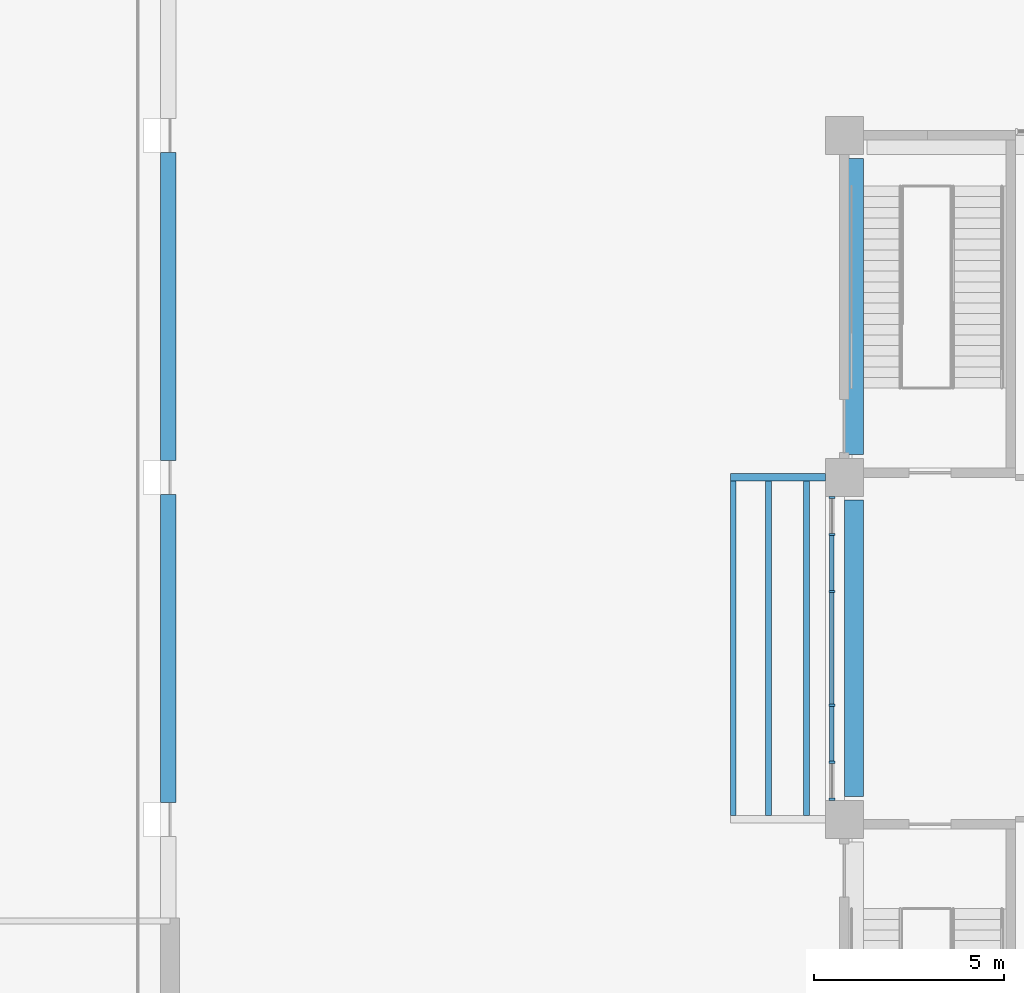
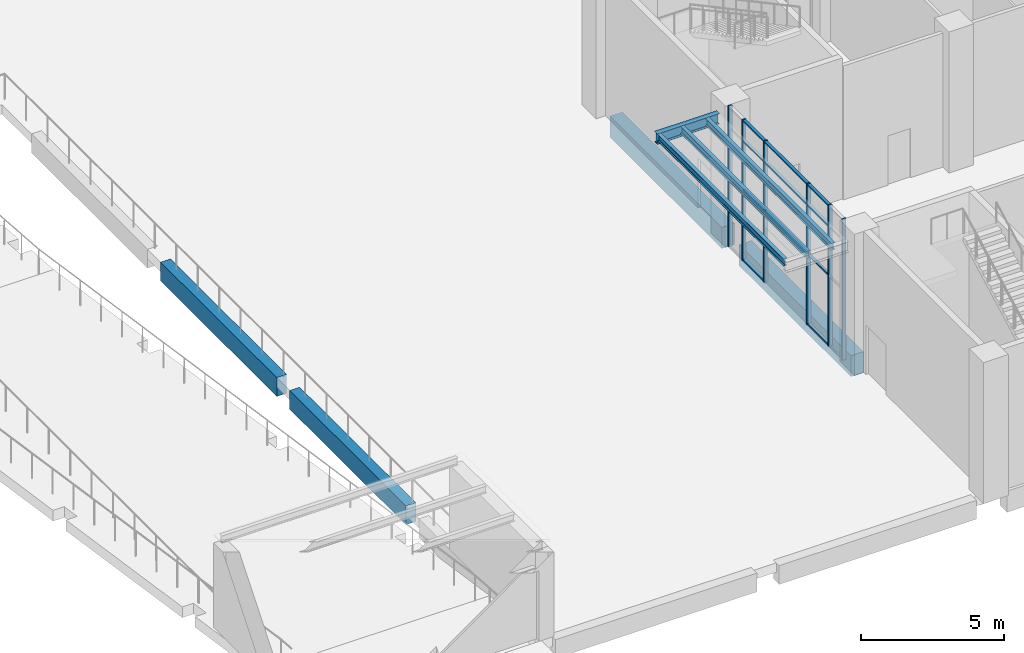
# One storey, part 13 of 86: 17 members, 8 beams, 1 element without a shape of its own.
"""IFC4 building model written with IfcOpenShell, lengths in metres."""

from ifc_helpers import new_model, si_unit, direction, frame, origin, origin_2d, place, context, subcontext, project, spatial, rectangle, i_section, extrude, material, layer, layer_set, material_profile, profile_set, type_object, element, aggregate, save


model = new_model("IFC4")

# Units and contexts
model_context = context("Model", 3, precision=1e-05, world=origin(), true_north=direction((0.0, 1.0)))
body_context = subcontext(model_context, "Body", "Model", "MODEL_VIEW")
ifc_project = project(units=[si_unit("LENGTHUNIT", "METRE"), si_unit("AREAUNIT", "SQUARE_METRE"), si_unit("VOLUMEUNIT", "CUBIC_METRE"), si_unit("PLANEANGLEUNIT", "RADIAN"), si_unit("MASSUNIT", "GRAM", prefix="KILO")], contexts=[model_context])

# Site, building, storey
site_placement = place(None, origin())
site = spatial("IfcSite", under=ifc_project, at=site_placement, CompositionType="ELEMENT")
building_placement = place(site_placement, origin())
building = spatial("IfcBuilding", under=site, at=building_placement, Name="Guidao Yard Department Store", CompositionType="ELEMENT")
storey_placement = place(building_placement, origin())
storey = spatial("IfcBuildingStorey", under=building, at=storey_placement, Name="L00", CompositionType="ELEMENT", Elevation=0.0)

# Beams
ifc_material_1 = material(Name="Steel Q355B", Category="steel")
ifc_material_profile_1 = material_profile(ifc_material_1, i_section(OverallWidth=0.14990234375, OverallDepth=0.300048828125, WebThickness=0.006591796875, FlangeThickness=0.009033203125, FilletRadius=0.012939453125, at=origin_2d()), Name="HN 300x150x6.5x9")
ifc_profile_set_1 = profile_set([ifc_material_profile_1], Name="Steel Q355B")
beam_type_1 = type_object("IfcBeamType", Name="Canopy beam HN 300x150x6.5x9", PredefinedType="BEAM", material=ifc_profile_set_1)
beam_1_placement = place(storey_placement, frame((123.074951171875, 9.10009765625, 5.300048828125), z_axis=(0.0, 1.0, 0.0), x_axis=(-1.0, 0.0, 0.0)))
element("IfcBeam", 1, at=beam_1_placement, inside=storey, type_object=beam_type_1, Name="Canopy edge beam OW-1", PredefinedType="BEAM", context=body_context, shape_type="SweptSolid", body=[
    extrude(i_section(OverallWidth=0.14990234375, OverallDepth=0.300048828125, WebThickness=0.006591796875, FlangeThickness=0.009033203125, FilletRadius=0.012939453125, at=origin_2d()), origin(), (0.0, 0.0, 1.0), 8.7998046875),
])
for number, where, z_axis, x_axis, name in (
    (2, (125.0, 9.10009765625, 5.300048828125), (0.0, 1.0, 0.0), (-1.0, 0.0, 0.0), "Canopy joist OW-1.1"),
    (3, (124.0, 9.10009765625, 5.300048828125), (0.0, 1.0, 0.0), (-1.0, 0.0, 0.0), "Canopy joist OW-1.2"),
):
    element("IfcBeam", number, at=place(storey_placement, frame(where, z_axis=z_axis, x_axis=x_axis)), inside=storey, type_object=beam_type_1, Name=name, PredefinedType="JOIST", context=body_context, shape_type="SweptSolid", body=[
        extrude(i_section(OverallWidth=0.14990234375, OverallDepth=0.300048828125, WebThickness=0.006591796875, FlangeThickness=0.009033203125, FilletRadius=0.012939453125, at=origin_2d()), origin(), (0.0, 0.0, 1.0), 8.7998046875),
    ])
ifc_material_2 = material(Name="Concrete C40", Category="concrete")
ifc_material_profile_2 = material_profile(ifc_material_2, rectangle(XDim=0.5, YDim=0.89990234375, at=origin_2d()), Name="Edge beam 500 x 900 C40")
ifc_profile_set_2 = profile_set([ifc_material_profile_2], Name="Concrete C40")
beam_type_2 = type_object("IfcBeamType", Name="Edge beam 500 x 900 C40", PredefinedType="BEAM", material=ifc_profile_set_2)
for number, where, z_axis, x_axis, name in (
    (4, (126.25, 9.60009765625, -0.449951171875), (0.0, 1.0, 0.0), (-1.0, 0.0, 0.0), "Beam FB13"),
    (5, (126.25, 18.60009765625, -0.449951171875), (0.0, 1.0, 0.0), (-1.0, 0.0, 0.0), "Beam FB14"),
):
    element("IfcBeam", number, at=place(storey_placement, frame(where, z_axis=z_axis, x_axis=x_axis)), inside=storey, type_object=beam_type_2, Name=name, PredefinedType="BEAM", context=body_context, shape_type="SweptSolid", body=[
        extrude(rectangle(XDim=0.5, YDim=0.89990234375, at=origin_2d()), origin(), (0.0, 0.0, 1.0), 7.7998046875),
    ])
ifc_material_3 = material(Name="Steel Q355B", Category="steel")
ifc_material_profile_3 = material_profile(ifc_material_3, i_section(OverallWidth=0.199951171875, OverallDepth=0.449951171875, WebThickness=0.009033203125, FlangeThickness=0.013916015625, FilletRadius=0.012939453125, at=origin_2d()), Name="HN 450x200x9x14")
ifc_profile_set_3 = profile_set([ifc_material_profile_3], Name="Steel Q355B")
beam_type_3 = type_object("IfcBeamType", Name="HN 450x200x9x14", PredefinedType="BEAM", material=ifc_profile_set_3)
beam_2_placement = place(storey_placement, frame((125.5, 18.0, 5.22509765625), z_axis=(-1.0, 0.0, 0.0), x_axis=(0.0, -1.0, 0.0)))
element("IfcBeam", 6, at=beam_2_placement, inside=storey, type_object=beam_type_3, Name="Canopy beam OW-2", PredefinedType="BEAM", context=body_context, shape_type="SweptSolid", body=[
    extrude(i_section(OverallWidth=0.199951171875, OverallDepth=0.449951171875, WebThickness=0.009033203125, FlangeThickness=0.013916015625, FilletRadius=0.012939453125, at=origin_2d()), origin(), (0.0, 0.0, 1.0), 2.5),
])

# Curtain wall, members
ifc_material_4 = material(Name="Aluminium and glass", Category="aluminium")
ifc_layer = layer(ifc_material_4, 0.159912109375)
ifc_layer_set = layer_set([ifc_layer], Name="Unitised curtain wall CW4 1500 module")
curtain_wall_type = type_object("IfcCurtainWallType", Name="Unitised curtain wall CW4 1500 module", PredefinedType="NOTDEFINED", material=ifc_layer_set)
curtain_wall_placement = place(storey_placement, origin())
curtain_wall = element("IfcCurtainWall", 7, at=curtain_wall_placement, inside=storey, type_object=curtain_wall_type, Name="Unitised curtain wall", PredefinedType="NOTDEFINED")
ifc_material_5 = material(Name="Aluminium 6063-T5", Category="aluminium")
ifc_material_profile_4 = material_profile(ifc_material_5, rectangle(XDim=0.06005859375, YDim=0.159912109375, at=origin_2d()), Name="Mullion M1 60 x 160 aluminium pressure plate")
ifc_profile_set_4 = profile_set([ifc_material_profile_4], Name="Aluminium 6063-T5")
member_type_1 = type_object("IfcMemberType", Name="Mullion M1 60 x 160 aluminium pressure plate", PredefinedType="MULLION", material=ifc_profile_set_4)
member_1_placement = place(storey_placement, frame((125.669921875, 9.530029296875, 0.0), z_axis=(0.0, 0.0, 1.0), x_axis=(0.0, 1.0, 0.0)))
member_1 = element("IfcMember", 8, at=member_1_placement, type_object=member_type_1, Name="CW-OW-L00-04 mullion 1", PredefinedType="MULLION", context=body_context, shape_type="SweptSolid", body=[
    extrude(rectangle(XDim=0.06005859375, YDim=0.159912109375, at=origin_2d()), origin(), (0.0, 0.0, 1.0), 6.0),
])
member_2_placement = place(storey_placement, frame((125.669921875, 10.5, 0.0), z_axis=(0.0, 0.0, 1.0), x_axis=(0.0, 1.0, 0.0)))
member_2 = element("IfcMember", 9, at=member_2_placement, type_object=member_type_1, Name="CW-OW-L00-04 mullion 2", PredefinedType="MULLION", context=body_context, shape_type="SweptSolid", body=[
    extrude(rectangle(XDim=0.06005859375, YDim=0.159912109375, at=origin_2d()), origin(), (0.0, 0.0, 1.0), 6.0),
])
member_3_placement = place(storey_placement, frame((125.669921875, 12.0, 0.0), z_axis=(0.0, 0.0, 1.0), x_axis=(0.0, 1.0, 0.0)))
member_3 = element("IfcMember", 10, at=member_3_placement, type_object=member_type_1, Name="CW-OW-L00-04 mullion 3", PredefinedType="MULLION", context=body_context, shape_type="SweptSolid", body=[
    extrude(rectangle(XDim=0.06005859375, YDim=0.159912109375, at=origin_2d()), origin(), (0.0, 0.0, 1.0), 6.0),
])
member_4_placement = place(storey_placement, frame((125.669921875, 15.0, 0.0), z_axis=(0.0, 0.0, 1.0), x_axis=(0.0, 1.0, 0.0)))
member_4 = element("IfcMember", 11, at=member_4_placement, type_object=member_type_1, Name="CW-OW-L00-04 mullion 4", PredefinedType="MULLION", context=body_context, shape_type="SweptSolid", body=[
    extrude(rectangle(XDim=0.06005859375, YDim=0.159912109375, at=origin_2d()), origin(), (0.0, 0.0, 1.0), 6.0),
])
member_5_placement = place(storey_placement, frame((125.669921875, 16.5, 0.0), z_axis=(0.0, 0.0, 1.0), x_axis=(0.0, 1.0, 0.0)))
member_5 = element("IfcMember", 12, at=member_5_placement, type_object=member_type_1, Name="CW-OW-L00-04 mullion 5", PredefinedType="MULLION", context=body_context, shape_type="SweptSolid", body=[
    extrude(rectangle(XDim=0.06005859375, YDim=0.159912109375, at=origin_2d()), origin(), (0.0, 0.0, 1.0), 6.0),
])
member_6_placement = place(storey_placement, frame((125.669921875, 17.469970703125, 0.0), z_axis=(0.0, 0.0, 1.0), x_axis=(0.0, 1.0, 0.0)))
member_6 = element("IfcMember", 13, at=member_6_placement, type_object=member_type_1, Name="CW-OW-L00-04 mullion 6", PredefinedType="MULLION", context=body_context, shape_type="SweptSolid", body=[
    extrude(rectangle(XDim=0.06005859375, YDim=0.159912109375, at=origin_2d()), origin(), (0.0, 0.0, 1.0), 6.0),
])

# Beams
ifc_material_6 = material(Name="Concrete C40", Category="concrete")
ifc_material_profile_5 = material_profile(ifc_material_6, rectangle(XDim=0.39990234375, YDim=0.800048828125, at=origin_2d()), Name="Spandrel beam 400 x 800 C40")
ifc_profile_set_5 = profile_set([ifc_material_profile_5], Name="Concrete C40")
beam_type_4 = type_object("IfcBeamType", Name="Spandrel beam 400 x 800 C40", PredefinedType="SPANDREL", material=ifc_profile_set_5)
for number, where, z_axis, x_axis, name in (
    (14, (108.199951171875, 9.449951171875, -0.39990234375), (0.0, 1.0, 0.0), (-1.0, 0.0, 0.0), "Beam EB78"),
    (15, (108.199951171875, 18.449951171875, -0.39990234375), (0.0, 1.0, 0.0), (-1.0, 0.0, 0.0), "Beam EB79"),
):
    element("IfcBeam", number, at=place(storey_placement, frame(where, z_axis=z_axis, x_axis=x_axis)), inside=storey, type_object=beam_type_4, Name=name, PredefinedType="SPANDREL", context=body_context, shape_type="SweptSolid", body=[
        extrude(rectangle(XDim=0.39990234375, YDim=0.800048828125, at=origin_2d()), origin(), (0.0, 0.0, 1.0), 8.10009765625),
    ])

# Member
ifc_material_7 = material(Name="Aluminium 6063-T5", Category="aluminium")
ifc_material_profile_6 = material_profile(ifc_material_7, rectangle(XDim=0.1201171875, YDim=0.06005859375, at=origin_2d()), Name="Transom T1 60 x 120 aluminium pressure plate")
ifc_profile_set_6 = profile_set([ifc_material_profile_6], Name="Aluminium 6063-T5")
member_type_2 = type_object("IfcMemberType", Name="Transom T1 60 x 120 aluminium pressure plate", PredefinedType="USERDEFINED", material=ifc_profile_set_6)
member_7_placement = place(storey_placement, frame((125.669921875, 10.530029296875, 0.030029296875), z_axis=(0.0, 1.0, 0.0), x_axis=(-1.0, 0.0, 0.0)))
member_7 = element("IfcMember", 16, at=member_7_placement, type_object=member_type_2, Name="CW-OW-L00-04 transom 2.1", ObjectType="TRANSOM", PredefinedType="USERDEFINED", context=body_context, shape_type="SweptSolid", body=[
    extrude(rectangle(XDim=0.1201171875, YDim=0.06005859375, at=origin_2d()), origin(), (0.0, 0.0, 1.0), 1.43994140625),
])

member_8_placement = place(storey_placement, frame((125.669921875, 10.530029296875, 3.0), z_axis=(0.0, 1.0, 0.0), x_axis=(-1.0, 0.0, 0.0)))
member_8 = element("IfcMember", 17, at=member_8_placement, type_object=member_type_2, Name="CW-OW-L00-04 transom 2.2", ObjectType="TRANSOM", PredefinedType="USERDEFINED", context=body_context, shape_type="SweptSolid", body=[
    extrude(rectangle(XDim=0.1201171875, YDim=0.06005859375, at=origin_2d()), origin(), (0.0, 0.0, 1.0), 1.43994140625),
])

member_9_placement = place(storey_placement, frame((125.669921875, 10.530029296875, 5.10009765625), z_axis=(0.0, 1.0, 0.0), x_axis=(-1.0, 0.0, 0.0)))
member_9 = element("IfcMember", 18, at=member_9_placement, type_object=member_type_2, Name="CW-OW-L00-04 transom 2.3", ObjectType="TRANSOM", PredefinedType="USERDEFINED", context=body_context, shape_type="SweptSolid", body=[
    extrude(rectangle(XDim=0.1201171875, YDim=0.06005859375, at=origin_2d()), origin(), (0.0, 0.0, 1.0), 1.43994140625),
])

member_10_placement = place(storey_placement, frame((125.669921875, 10.530029296875, 5.969970703125), z_axis=(0.0, 1.0, 0.0), x_axis=(-1.0, 0.0, 0.0)))
member_10 = element("IfcMember", 19, at=member_10_placement, type_object=member_type_2, Name="CW-OW-L00-04 transom 2.4", ObjectType="TRANSOM", PredefinedType="USERDEFINED", context=body_context, shape_type="SweptSolid", body=[
    extrude(rectangle(XDim=0.1201171875, YDim=0.06005859375, at=origin_2d()), origin(), (0.0, 0.0, 1.0), 1.43994140625),
])

member_11_placement = place(storey_placement, frame((125.669921875, 12.030029296875, 3.0), z_axis=(0.0, 1.0, 0.0), x_axis=(-1.0, 0.0, 0.0)))
member_11 = element("IfcMember", 20, at=member_11_placement, type_object=member_type_2, Name="CW-OW-L00-04 transom 3.2", ObjectType="TRANSOM", PredefinedType="USERDEFINED", context=body_context, shape_type="SweptSolid", body=[
    extrude(rectangle(XDim=0.1201171875, YDim=0.06005859375, at=origin_2d()), origin(), (0.0, 0.0, 1.0), 2.93994140625),
])

member_12_placement = place(storey_placement, frame((125.669921875, 12.030029296875, 5.10009765625), z_axis=(0.0, 1.0, 0.0), x_axis=(-1.0, 0.0, 0.0)))
member_12 = element("IfcMember", 21, at=member_12_placement, type_object=member_type_2, Name="CW-OW-L00-04 transom 3.3", ObjectType="TRANSOM", PredefinedType="USERDEFINED", context=body_context, shape_type="SweptSolid", body=[
    extrude(rectangle(XDim=0.1201171875, YDim=0.06005859375, at=origin_2d()), origin(), (0.0, 0.0, 1.0), 2.93994140625),
])

member_13_placement = place(storey_placement, frame((125.669921875, 12.030029296875, 5.969970703125), z_axis=(0.0, 1.0, 0.0), x_axis=(-1.0, 0.0, 0.0)))
member_13 = element("IfcMember", 22, at=member_13_placement, type_object=member_type_2, Name="CW-OW-L00-04 transom 3.4", ObjectType="TRANSOM", PredefinedType="USERDEFINED", context=body_context, shape_type="SweptSolid", body=[
    extrude(rectangle(XDim=0.1201171875, YDim=0.06005859375, at=origin_2d()), origin(), (0.0, 0.0, 1.0), 2.93994140625),
])

member_14_placement = place(storey_placement, frame((125.669921875, 15.030029296875, 0.030029296875), z_axis=(0.0, 1.0, 0.0), x_axis=(-1.0, 0.0, 0.0)))
member_14 = element("IfcMember", 23, at=member_14_placement, type_object=member_type_2, Name="CW-OW-L00-04 transom 4.1", ObjectType="TRANSOM", PredefinedType="USERDEFINED", context=body_context, shape_type="SweptSolid", body=[
    extrude(rectangle(XDim=0.1201171875, YDim=0.06005859375, at=origin_2d()), origin(), (0.0, 0.0, 1.0), 1.43994140625),
])

member_15_placement = place(storey_placement, frame((125.669921875, 15.030029296875, 3.0), z_axis=(0.0, 1.0, 0.0), x_axis=(-1.0, 0.0, 0.0)))
member_15 = element("IfcMember", 24, at=member_15_placement, type_object=member_type_2, Name="CW-OW-L00-04 transom 4.2", ObjectType="TRANSOM", PredefinedType="USERDEFINED", context=body_context, shape_type="SweptSolid", body=[
    extrude(rectangle(XDim=0.1201171875, YDim=0.06005859375, at=origin_2d()), origin(), (0.0, 0.0, 1.0), 1.43994140625),
])

member_16_placement = place(storey_placement, frame((125.669921875, 15.030029296875, 5.10009765625), z_axis=(0.0, 1.0, 0.0), x_axis=(-1.0, 0.0, 0.0)))
member_16 = element("IfcMember", 25, at=member_16_placement, type_object=member_type_2, Name="CW-OW-L00-04 transom 4.3", ObjectType="TRANSOM", PredefinedType="USERDEFINED", context=body_context, shape_type="SweptSolid", body=[
    extrude(rectangle(XDim=0.1201171875, YDim=0.06005859375, at=origin_2d()), origin(), (0.0, 0.0, 1.0), 1.43994140625),
])

member_17_placement = place(storey_placement, frame((125.669921875, 15.030029296875, 5.969970703125), z_axis=(0.0, 1.0, 0.0), x_axis=(-1.0, 0.0, 0.0)))
member_17 = element("IfcMember", 26, at=member_17_placement, type_object=member_type_2, Name="CW-OW-L00-04 transom 4.4", ObjectType="TRANSOM", PredefinedType="USERDEFINED", context=body_context, shape_type="SweptSolid", body=[
    extrude(rectangle(XDim=0.1201171875, YDim=0.06005859375, at=origin_2d()), origin(), (0.0, 0.0, 1.0), 1.43994140625),
])

aggregate(curtain_wall, [member_1, member_2, member_3, member_4, member_5, member_6, member_7, member_8, member_9, member_10, member_11, member_12, member_13, member_14, member_15, member_16, member_17])

save(model, "model.ifc")
